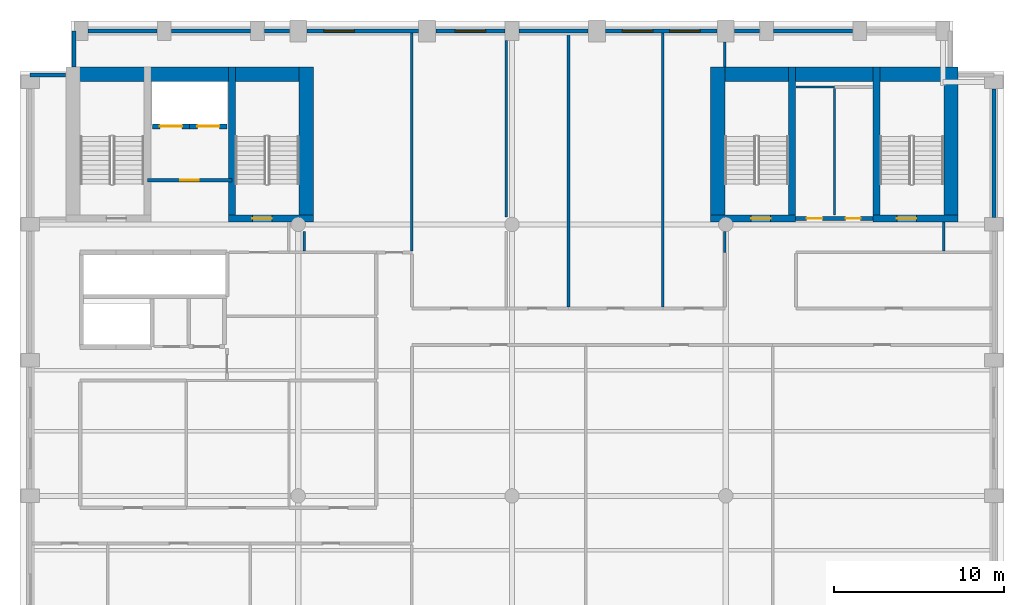
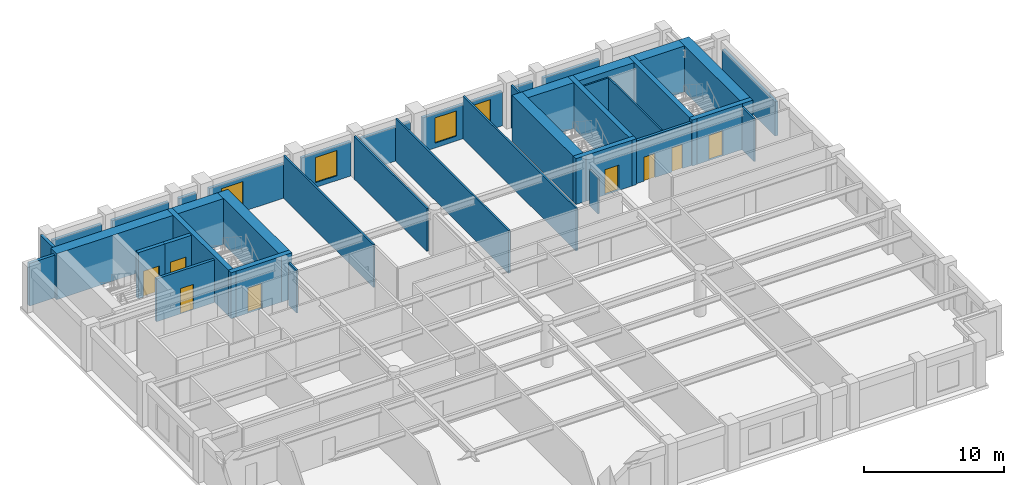
# One storey, part 5 of 8: 37 walls, 8 doors, 4 windows, 12 openings.
"""IFC4 building model written with IfcOpenShell, lengths in metres."""

from ifc_helpers import new_model, si_unit, direction, frame, frame_2d, origin, place, context, subcontext, project, spatial, rectangle, extrude, material, layer, layer_set, type_object, element, fill, save


model = new_model("IFC4")

# Units and contexts
model_context = context("Model", 3, precision=1e-05, world=origin(), true_north=direction((0.0, 1.0)))
body_context = subcontext(model_context, "Body", "Model", "MODEL_VIEW")
ifc_project = project(units=[si_unit("LENGTHUNIT", "METRE"), si_unit("AREAUNIT", "SQUARE_METRE"), si_unit("VOLUMEUNIT", "CUBIC_METRE"), si_unit("PLANEANGLEUNIT", "RADIAN"), si_unit("MASSUNIT", "GRAM", prefix="KILO")], contexts=[model_context])

# Site, building, storey
site_placement = place(None, origin())
site = spatial("IfcSite", under=ifc_project, at=site_placement, CompositionType="ELEMENT")
building_placement = place(site_placement, origin())
building = spatial("IfcBuilding", under=site, at=building_placement, Name="Sulina Concourse Tower", CompositionType="ELEMENT")
storey_placement = place(building_placement, frame((0.0, 0.0, 174.60009765625)))
storey = spatial("IfcBuildingStorey", under=building, at=storey_placement, Name="L42", CompositionType="ELEMENT", Elevation=174.60009765625)

# Wall, opening, door
ifc_material_1 = material(Name="Concrete C50/60", Category="concrete")
ifc_layer_1 = layer(ifc_material_1, 0.300048828125)
ifc_layer_set_1 = layer_set([ifc_layer_1], Name="Concrete C50/60")
wall_type_1 = type_object("IfcWallType", Name="Core Lift Hoistway Wall 300mm", PredefinedType="SOLIDWALL", material=ifc_layer_set_1)
wall_1_placement = place(storey_placement, frame((10.0, 39.780029296875, 0.0), z_axis=(0.0, 0.0, 1.0), x_axis=(-1.0, 0.0, 0.0)))
wall_1 = element("IfcWall", 1, at=wall_1_placement, inside=storey, type_object=wall_type_1, Name="L42 hoistway enclosure wall FFL-1", PredefinedType="SOLIDWALL", context=body_context, shape_type="SweptSolid", body=[
    extrude(rectangle(XDim=2.199951171875, YDim=0.300048828125, at=frame_2d((1.10009765625, 0.0))), origin(), (0.0, 0.0, 1.0), 4.0),
])
opening_1_placement = place(wall_1_placement, frame((0.449951171875, 0.0, 0.0)))
opening_1 = element("IfcOpeningElement", 2, at=opening_1_placement, cuts=wall_1, Name="Opening LD-02", PredefinedType="OPENING", context=body_context, shape_type="SweptSolid", body=[
    extrude(rectangle(XDim=1.300048828125, YDim=2.25, at=frame_2d((0.64990234375, 1.125))), frame((0.0, 0.159912109375, 0.0), z_axis=(0.0, -1.0, 0.0), x_axis=(1.0, 0.0, 0.0)), (0.0, 0.0, 1.0), 0.320068359375),
])
ifc_material_2 = material(Name="Stainless steel lift landing door", Category="steel")
ifc_layer_2 = layer(ifc_material_2, 0.050048828125)
ifc_layer_set_2 = layer_set([ifc_layer_2], Name="Stainless steel lift landing door")
door_type_1 = type_object("IfcDoorType", Name="Firefighting Lift Sliding Landing Door 1300x2250", OperationType="SLIDING_TO_RIGHT", PredefinedType="DOOR", material=ifc_layer_set_2)
door_1_placement = place(opening_1_placement, origin())
door_1 = element("IfcDoor", 3, at=door_1_placement, inside=storey, type_object=door_type_1, Name="L42 lift landing sliding door FFL-1", OperationType="SLIDING_TO_LEFT", OverallHeight=2.25, OverallWidth=1.300048828125, PredefinedType="DOOR", context=body_context, shape_type="SweptSolid", body=[
    extrude(rectangle(XDim=1.300048828125, YDim=2.25, at=frame_2d((0.64990234375, 1.125))), frame((0.0, 0.02490234375, 0.0), z_axis=(0.0, -1.0, 0.0), x_axis=(1.0, 0.0, 0.0)), (0.0, 0.0, 1.0), 0.050048828125),
])
fill(opening_1, door_1)

wall_2_placement = place(storey_placement, frame((12.199951171875, 39.780029296875, 0.0), z_axis=(0.0, 0.0, 1.0), x_axis=(-1.0, 0.0, 0.0)))
wall_2 = element("IfcWall", 4, at=wall_2_placement, inside=storey, type_object=wall_type_1, Name="L42 hoistway enclosure wall FFL-2", PredefinedType="SOLIDWALL", context=body_context, shape_type="SweptSolid", body=[
    extrude(rectangle(XDim=2.199951171875, YDim=0.300048828125, at=frame_2d((1.10009765625, 0.0))), origin(), (0.0, 0.0, 1.0), 4.0),
])
opening_2_placement = place(wall_2_placement, frame((0.449951171875, 0.0, 0.0)))
opening_2 = element("IfcOpeningElement", 5, at=opening_2_placement, cuts=wall_2, Name="Opening LD-02", PredefinedType="OPENING", context=body_context, shape_type="SweptSolid", body=[
    extrude(rectangle(XDim=1.300048828125, YDim=2.25, at=frame_2d((0.64990234375, 1.125))), frame((0.0, 0.159912109375, 0.0), z_axis=(0.0, -1.0, 0.0), x_axis=(1.0, 0.0, 0.0)), (0.0, 0.0, 1.0), 0.320068359375),
])
door_2_placement = place(opening_2_placement, origin())
door_2 = element("IfcDoor", 6, at=door_2_placement, inside=storey, type_object=door_type_1, Name="L42 lift landing sliding door FFL-2", OperationType="SLIDING_TO_RIGHT", OverallHeight=2.25, OverallWidth=1.300048828125, PredefinedType="DOOR", context=body_context, shape_type="SweptSolid", body=[
    extrude(rectangle(XDim=1.300048828125, YDim=2.25, at=frame_2d((0.64990234375, 1.125))), frame((0.0, 0.02490234375, 0.0), z_axis=(0.0, -1.0, 0.0), x_axis=(1.0, 0.0, 0.0)), (0.0, 0.0, 1.0), 0.050048828125),
])
fill(opening_2, door_2)

# Walls
ifc_material_3 = material(Name="Precast concrete C50/60", Category="concrete")
ifc_layer_3 = layer(ifc_material_3, 0.239990234375)
ifc_layer_set_3 = layer_set([ifc_layer_3], Name="Precast concrete C50/60")
wall_type_2 = type_object("IfcWallType", Name="Crown Precast Masonry-Frame Facade Wall 240mm", PredefinedType="SOLIDWALL", material=ifc_layer_set_3)
wall_3_placement = place(storey_placement, frame((4.02001953125, 45.39990234375, 0.0), z_axis=(0.0, 0.0, 1.0), x_axis=(1.0, 0.0, 0.0)))
element("IfcWall", 7, at=wall_3_placement, inside=storey, type_object=wall_type_2, Name="L42 exterior precast wall N1", PredefinedType="SOLIDWALL", context=body_context, shape_type="SweptSolid", body=[
    extrude(rectangle(XDim=4.06005859375, YDim=0.239990234375, at=frame_2d((2.030029296875, 0.0))), origin(), (0.0, 0.0, 1.0), 2.974853515625),
])
wall_4_placement = place(storey_placement, frame((8.919921875, 45.39990234375, 0.0), z_axis=(0.0, 0.0, 1.0), x_axis=(1.0, 0.0, 0.0)))
element("IfcWall", 8, at=wall_4_placement, inside=storey, type_object=wall_type_2, Name="L42 exterior precast wall N2", PredefinedType="SOLIDWALL", context=body_context, shape_type="SweptSolid", body=[
    extrude(rectangle(XDim=4.66015625, YDim=0.239990234375, at=frame_2d((2.330078125, 0.0))), origin(), (0.0, 0.0, 1.0), 2.974853515625),
])
wall_5_placement = place(storey_placement, frame((14.419921875, 45.39990234375, 0.0), z_axis=(0.0, 0.0, 1.0), x_axis=(1.0, 0.0, 0.0)))
element("IfcWall", 9, at=wall_5_placement, inside=storey, type_object=wall_type_2, Name="L42 exterior precast wall N3", PredefinedType="SOLIDWALL", context=body_context, shape_type="SweptSolid", body=[
    extrude(rectangle(XDim=1.4599609375, YDim=0.239990234375, at=frame_2d((0.72998046875, 0.0))), origin(), (0.0, 0.0, 1.0), 2.974853515625),
])

# Wall, opening, window
wall_6_placement = place(storey_placement, frame((16.919921875, 45.39990234375, 0.0), z_axis=(0.0, 0.0, 1.0), x_axis=(1.0, 0.0, 0.0)))
wall_6 = element("IfcWall", 10, at=wall_6_placement, inside=storey, type_object=wall_type_2, Name="L42 exterior precast wall N4", PredefinedType="SOLIDWALL", context=body_context, shape_type="SweptSolid", body=[
    extrude(rectangle(XDim=6.56005859375, YDim=0.239990234375, at=frame_2d((3.280029296875, 0.0))), origin(), (0.0, 0.0, 1.0), 2.974853515625),
])
opening_3_placement = place(wall_6_placement, frame((0.98681640625, 0.0, 0.419921875)))
opening_3 = element("IfcOpeningElement", 11, at=opening_3_placement, cuts=wall_6, Name="Opening WN-25", PredefinedType="OPENING", context=body_context, shape_type="SweptSolid", body=[
    extrude(rectangle(XDim=1.800048828125, YDim=2.199951171875, at=frame_2d((0.89990234375, 1.10009765625))), frame((0.0, 0.1298828125, 0.0), z_axis=(0.0, -1.0, 0.0), x_axis=(1.0, 0.0, 0.0)), (0.0, 0.0, 1.0), 0.260009765625),
])
ifc_material_4 = material(Name="Low-E solar double glazing in bronze aluminium", Category="aluminium")
window_type = type_object("IfcWindowType", Name="Punched Masonry-Frame Window 1800x2200", PartitioningType="SINGLE_PANEL", PredefinedType="WINDOW", material=ifc_material_4)
window_1_placement = place(opening_3_placement, origin())
window_1 = element("IfcWindow", 12, at=window_1_placement, inside=storey, type_object=window_type, Name="L42 punched window N4-1", OverallHeight=2.199951171875, OverallWidth=1.800048828125, PartitioningType="SINGLE_PANEL", PredefinedType="WINDOW", context=body_context, shape_type="SweptSolid", body=[
    extrude(rectangle(XDim=1.800048828125, YDim=2.199951171875, at=frame_2d((0.89990234375, 1.10009765625))), frame((0.0, 0.030029296875, 0.0), z_axis=(0.0, -1.0, 0.0), x_axis=(1.0, 0.0, 0.0)), (0.0, 0.0, 1.0), 0.06005859375),
])
fill(opening_3, window_1)

wall_7_placement = place(storey_placement, frame((24.52001953125, 45.39990234375, 0.0), z_axis=(0.0, 0.0, 1.0), x_axis=(1.0, 0.0, 0.0)))
wall_7 = element("IfcWall", 13, at=wall_7_placement, inside=storey, type_object=wall_type_2, Name="L42 exterior precast wall N5", PredefinedType="SOLIDWALL", context=body_context, shape_type="SweptSolid", body=[
    extrude(rectangle(XDim=4.06005859375, YDim=0.239990234375, at=frame_2d((2.030029296875, 0.0))), origin(), (0.0, 0.0, 1.0), 2.974853515625),
])
opening_4_placement = place(wall_7_placement, frame((1.1298828125, 0.0, 0.419921875)))
opening_4 = element("IfcOpeningElement", 14, at=opening_4_placement, cuts=wall_7, Name="Opening WN-25", PredefinedType="OPENING", context=body_context, shape_type="SweptSolid", body=[
    extrude(rectangle(XDim=1.800048828125, YDim=2.199951171875, at=frame_2d((0.89990234375, 1.10009765625))), frame((0.0, 0.1298828125, 0.0), z_axis=(0.0, -1.0, 0.0), x_axis=(1.0, 0.0, 0.0)), (0.0, 0.0, 1.0), 0.260009765625),
])
window_2_placement = place(opening_4_placement, origin())
window_2 = element("IfcWindow", 15, at=window_2_placement, inside=storey, type_object=window_type, Name="L42 punched window N5-1", OverallHeight=2.199951171875, OverallWidth=1.800048828125, PartitioningType="SINGLE_PANEL", PredefinedType="WINDOW", context=body_context, shape_type="SweptSolid", body=[
    extrude(rectangle(XDim=1.800048828125, YDim=2.199951171875, at=frame_2d((0.89990234375, 1.10009765625))), frame((0.0, 0.030029296875, 0.0), z_axis=(0.0, -1.0, 0.0), x_axis=(1.0, 0.0, 0.0)), (0.0, 0.0, 1.0), 0.06005859375),
])
fill(opening_4, window_2)

# Wall
wall_8_placement = place(storey_placement, frame((29.419921875, 45.39990234375, 0.0), z_axis=(0.0, 0.0, 1.0), x_axis=(1.0, 0.0, 0.0)))
element("IfcWall", 16, at=wall_8_placement, inside=storey, type_object=wall_type_2, Name="L42 exterior precast wall N6", PredefinedType="SOLIDWALL", context=body_context, shape_type="SweptSolid", body=[
    extrude(rectangle(XDim=4.06005859375, YDim=0.239990234375, at=frame_2d((2.030029296875, 0.0))), origin(), (0.0, 0.0, 1.0), 2.974853515625),
])

# Wall, openings, windows
wall_9_placement = place(storey_placement, frame((34.52001953125, 45.39990234375, 0.0), z_axis=(0.0, 0.0, 1.0), x_axis=(1.0, 0.0, 0.0)))
wall_9 = element("IfcWall", 17, at=wall_9_placement, inside=storey, type_object=wall_type_2, Name="L42 exterior precast wall N7", PredefinedType="SOLIDWALL", context=body_context, shape_type="SweptSolid", body=[
    extrude(rectangle(XDim=6.56005859375, YDim=0.239990234375, at=frame_2d((3.280029296875, 0.0))), origin(), (0.0, 0.0, 1.0), 2.974853515625),
])
opening_5_placement = place(wall_9_placement, frame((0.98681640625, 0.0, 0.419921875)))
opening_5 = element("IfcOpeningElement", 18, at=opening_5_placement, cuts=wall_9, Name="Opening WN-25", PredefinedType="OPENING", context=body_context, shape_type="SweptSolid", body=[
    extrude(rectangle(XDim=1.800048828125, YDim=2.199951171875, at=frame_2d((0.89990234375, 1.10009765625))), frame((0.0, 0.1298828125, 0.0), z_axis=(0.0, -1.0, 0.0), x_axis=(1.0, 0.0, 0.0)), (0.0, 0.0, 1.0), 0.260009765625),
])
opening_6_placement = place(wall_9_placement, frame((3.773193359375, 0.0, 0.419921875)))
opening_6 = element("IfcOpeningElement", 19, at=opening_6_placement, cuts=wall_9, Name="Opening WN-25", PredefinedType="OPENING", context=body_context, shape_type="SweptSolid", body=[
    extrude(rectangle(XDim=1.800048828125, YDim=2.199951171875, at=frame_2d((0.89990234375, 1.10009765625))), frame((0.0, 0.1298828125, 0.0), z_axis=(0.0, -1.0, 0.0), x_axis=(1.0, 0.0, 0.0)), (0.0, 0.0, 1.0), 0.260009765625),
])
window_3_placement = place(opening_5_placement, origin())
window_3 = element("IfcWindow", 20, at=window_3_placement, inside=storey, type_object=window_type, Name="L42 punched window N7-1", OverallHeight=2.199951171875, OverallWidth=1.800048828125, PartitioningType="SINGLE_PANEL", PredefinedType="WINDOW", context=body_context, shape_type="SweptSolid", body=[
    extrude(rectangle(XDim=1.800048828125, YDim=2.199951171875, at=frame_2d((0.89990234375, 1.10009765625))), frame((0.0, 0.030029296875, 0.0), z_axis=(0.0, -1.0, 0.0), x_axis=(1.0, 0.0, 0.0)), (0.0, 0.0, 1.0), 0.06005859375),
])
fill(opening_5, window_3)
window_4_placement = place(opening_6_placement, origin())
window_4 = element("IfcWindow", 21, at=window_4_placement, inside=storey, type_object=window_type, Name="L42 punched window N7-2", OverallHeight=2.199951171875, OverallWidth=1.800048828125, PartitioningType="SINGLE_PANEL", PredefinedType="WINDOW", context=body_context, shape_type="SweptSolid", body=[
    extrude(rectangle(XDim=1.800048828125, YDim=2.199951171875, at=frame_2d((0.89990234375, 1.10009765625))), frame((0.0, 0.030029296875, 0.0), z_axis=(0.0, -1.0, 0.0), x_axis=(1.0, 0.0, 0.0)), (0.0, 0.0, 1.0), 0.06005859375),
])
fill(opening_6, window_4)

# Walls
wall_10_placement = place(storey_placement, frame((42.1201171875, 45.39990234375, 0.0), z_axis=(0.0, 0.0, 1.0), x_axis=(1.0, 0.0, 0.0)))
element("IfcWall", 22, at=wall_10_placement, inside=storey, type_object=wall_type_2, Name="L42 exterior precast wall N8", PredefinedType="SOLIDWALL", context=body_context, shape_type="SweptSolid", body=[
    extrude(rectangle(XDim=1.4599609375, YDim=0.239990234375, at=frame_2d((0.72998046875, 0.0))), origin(), (0.0, 0.0, 1.0), 2.974853515625),
])
wall_11_placement = place(storey_placement, frame((44.419921875, 45.39990234375, 0.0), z_axis=(0.0, 0.0, 1.0), x_axis=(1.0, 0.0, 0.0)))
element("IfcWall", 23, at=wall_11_placement, inside=storey, type_object=wall_type_2, Name="L42 exterior precast wall N9", PredefinedType="SOLIDWALL", context=body_context, shape_type="SweptSolid", body=[
    extrude(rectangle(XDim=4.66015625, YDim=0.239990234375, at=frame_2d((2.330078125, 0.0))), origin(), (0.0, 0.0, 1.0), 2.974853515625),
])
wall_12_placement = place(storey_placement, frame((57.39990234375, 41.97998046875, 0.0), z_axis=(0.0, 0.0, 1.0), x_axis=(0.0, -1.0, 0.0)))
element("IfcWall", 24, at=wall_12_placement, inside=storey, type_object=wall_type_2, Name="L42 exterior precast wall E5", PredefinedType="SOLIDWALL", context=body_context, shape_type="SweptSolid", body=[
    extrude(rectangle(XDim=7.56005859375, YDim=0.239990234375, at=frame_2d((3.780029296875, 0.0))), origin(), (0.0, 0.0, 1.0), 2.974853515625),
])
wall_13_placement = place(storey_placement, frame((0.60009765625, 42.820068359375, 0.0), z_axis=(0.0, 0.0, 1.0), x_axis=(1.0, 0.0, 0.0)))
element("IfcWall", 25, at=wall_13_placement, inside=storey, type_object=wall_type_2, Name="L42 exterior precast wall CNW1", PredefinedType="SOLIDWALL", context=body_context, shape_type="SweptSolid", body=[
    extrude(rectangle(XDim=2.094970703125, YDim=0.239990234375, at=frame_2d((1.04736328125, 0.0))), origin(), (0.0, 0.0, 1.0), 3.724853515625),
])
wall_14_placement = place(storey_placement, frame((3.179931640625, 43.284912109375, 0.0), z_axis=(0.0, 0.0, 1.0), x_axis=(0.0, 1.0, 0.0)))
element("IfcWall", 26, at=wall_14_placement, inside=storey, type_object=wall_type_2, Name="L42 exterior precast wall CNW2", PredefinedType="SOLIDWALL", context=body_context, shape_type="SweptSolid", body=[
    extrude(rectangle(XDim=2.114990234375, YDim=0.239990234375, at=frame_2d((1.0576171875, 0.0))), origin(), (0.0, 0.0, 1.0), 3.724853515625),
])

# Wall, opening, door
ifc_material_5 = material(Name="Gypsum board on steel stud", Category="steel")
ifc_layer_4 = layer(ifc_material_5, 0.219970703125)
ifc_layer_set_4 = layer_set([ifc_layer_4], Name="Gypsum board on steel stud")
wall_type_3 = type_object("IfcWallType", Name="Fire-Rated Lobby & Compartment Wall 220mm", PredefinedType="PARTITIONING", material=ifc_layer_set_4)
wall_15_placement = place(storey_placement, frame((7.510009765625, 36.60009765625, 0.0), z_axis=(0.0, 0.0, 1.0), x_axis=(1.0, 0.0, 0.0)))
wall_15 = element("IfcWall", 27, at=wall_15_placement, inside=storey, type_object=wall_type_3, Name="L42 firefighting lobby south fire wall", PredefinedType="PARTITIONING", context=body_context, shape_type="SweptSolid", body=[
    extrude(rectangle(XDim=4.97998046875, YDim=0.219970703125, at=frame_2d((2.489990234375, 0.0))), origin(), (0.0, 0.0, 1.0), 3.724853515625),
])
opening_7_placement = place(wall_15_placement, frame((1.93994140625, 0.0, 0.0)))
opening_7 = element("IfcOpeningElement", 28, at=opening_7_placement, cuts=wall_15, Name="Opening DR-47", PredefinedType="OPENING", context=body_context, shape_type="SweptSolid", body=[
    extrude(rectangle(XDim=1.10009765625, YDim=2.199951171875, at=frame_2d((0.550048828125, 1.10009765625))), frame((0.0, 0.119873046875, 0.0), z_axis=(0.0, -1.0, 0.0), x_axis=(1.0, 0.0, 0.0)), (0.0, 0.0, 1.0), 0.239990234375),
])
ifc_material_6 = material(Name="Galvanised steel acoustic fire leaf", Category="steel")
ifc_layer_5 = layer(ifc_material_6, 0.054931640625)
ifc_layer_set_5 = layer_set([ifc_layer_5], Name="Galvanised steel acoustic fire leaf")
door_type_2 = type_object("IfcDoorType", Name="Firefighting Lobby Fire Door 1100x2200", OperationType="NOTDEFINED", PredefinedType="DOOR", material=ifc_layer_set_5)
door_3_placement = place(opening_7_placement, origin())
door_3 = element("IfcDoor", 29, at=door_3_placement, inside=storey, type_object=door_type_2, Name="L42 firefighting lobby fire door", OperationType="SINGLE_SWING_LEFT", OverallHeight=2.199951171875, OverallWidth=1.10009765625, PredefinedType="DOOR", context=body_context, shape_type="SweptSolid", body=[
    extrude(rectangle(XDim=1.10009765625, YDim=2.199951171875, at=frame_2d((0.550048828125, 1.10009765625))), frame((0.0, 0.02490234375, 0.0), z_axis=(0.0, -1.0, 0.0), x_axis=(1.0, 0.0, 0.0)), (0.0, 0.0, 1.0), 0.050048828125),
])
fill(opening_7, door_3)

# Wall, openings, doors
wall_16_placement = place(storey_placement, frame((45.719970703125, 34.35009765625, 0.0), z_axis=(0.0, 0.0, 1.0), x_axis=(1.0, 0.0, 0.0)))
wall_16 = element("IfcWall", 30, at=wall_16_placement, inside=storey, type_object=wall_type_3, Name="L42 east core south lobby wall", PredefinedType="PARTITIONING", context=body_context, shape_type="SweptSolid", body=[
    extrude(rectangle(XDim=4.56005859375, YDim=0.219970703125, at=frame_2d((2.280029296875, 0.0))), origin(), (0.0, 0.0, 1.0), 3.724853515625),
])
opening_8_placement = place(wall_16_placement, frame((0.64990234375, 0.0, 0.0)))
opening_8 = element("IfcOpeningElement", 31, at=opening_8_placement, cuts=wall_16, Name="Opening DR-61", PredefinedType="OPENING", context=body_context, shape_type="SweptSolid", body=[
    extrude(rectangle(XDim=0.919921875, YDim=2.10009765625, at=frame_2d((0.4599609375, 1.050048828125))), frame((0.0, 0.119873046875, 0.0), z_axis=(0.0, -1.0, 0.0), x_axis=(1.0, 0.0, 0.0)), (0.0, 0.0, 1.0), 0.239990234375),
])
opening_9_placement = place(wall_16_placement, frame((2.949951171875, 0.0, 0.0)))
opening_9 = element("IfcOpeningElement", 32, at=opening_9_placement, cuts=wall_16, Name="Opening DR-38", PredefinedType="OPENING", context=body_context, shape_type="SweptSolid", body=[
    extrude(rectangle(XDim=0.8798828125, YDim=2.10009765625, at=frame_2d((0.43994140625, 1.050048828125))), frame((0.0, 0.119873046875, 0.0), z_axis=(0.0, -1.0, 0.0), x_axis=(1.0, 0.0, 0.0)), (0.0, 0.0, 1.0), 0.239990234375),
])
ifc_material_7 = material(Name="Oak-veneered fire door leaf")
ifc_layer_6 = layer(ifc_material_7, 0.050048828125)
ifc_layer_set_6 = layer_set([ifc_layer_6], Name="Oak-veneered fire door leaf")
door_type_3 = type_object("IfcDoorType", Name="Accessible WC Door 920x2100", OperationType="NOTDEFINED", PredefinedType="DOOR", material=ifc_layer_set_6)
door_4_placement = place(opening_8_placement, origin())
door_4 = element("IfcDoor", 33, at=door_4_placement, inside=storey, type_object=door_type_3, Name="L42 east core accessible wc door", OperationType="SINGLE_SWING_LEFT", OverallHeight=2.10009765625, OverallWidth=0.919921875, PredefinedType="DOOR", context=body_context, shape_type="SweptSolid", body=[
    extrude(rectangle(XDim=0.919921875, YDim=2.10009765625, at=frame_2d((0.4599609375, 1.050048828125))), frame((0.0, 0.02490234375, 0.0), z_axis=(0.0, -1.0, 0.0), x_axis=(1.0, 0.0, 0.0)), (0.0, 0.0, 1.0), 0.050048828125),
])
fill(opening_8, door_4)
ifc_material_8 = material(Name="Galvanised steel acoustic fire leaf", Category="steel")
ifc_layer_7 = layer(ifc_material_8, 0.050048828125)
ifc_layer_set_7 = layer_set([ifc_layer_7], Name="Galvanised steel acoustic fire leaf")
door_type_4 = type_object("IfcDoorType", Name="Service Riser Fire Door 880x2100", OperationType="NOTDEFINED", PredefinedType="DOOR", material=ifc_layer_set_7)
door_5_placement = place(opening_9_placement, origin())
door_5 = element("IfcDoor", 34, at=door_5_placement, inside=storey, type_object=door_type_4, Name="L42 east core store door", OperationType="SINGLE_SWING_RIGHT", OverallHeight=2.10009765625, OverallWidth=0.8798828125, PredefinedType="DOOR", context=body_context, shape_type="SweptSolid", body=[
    extrude(rectangle(XDim=0.8798828125, YDim=2.10009765625, at=frame_2d((0.43994140625, 1.050048828125))), frame((0.0, 0.02490234375, 0.0), z_axis=(0.0, -1.0, 0.0), x_axis=(1.0, 0.0, 0.0)), (0.0, 0.0, 1.0), 0.050048828125),
])
fill(opening_9, door_5)

# Walls
ifc_material_9 = material(Name="Gypsum board on steel stud", Category="steel")
ifc_layer_8 = layer(ifc_material_9, 0.14990234375)
ifc_layer_set_8 = layer_set([ifc_layer_8], Name="Gypsum board on steel stud")
wall_type_4 = type_object("IfcWallType", Name="Inter-Tenancy Acoustic Partition 150mm", PredefinedType="PARTITIONING", material=ifc_layer_set_8)
wall_17_placement = place(storey_placement, frame((16.75, 32.425048828125, 0.0), z_axis=(0.0, 0.0, 1.0), x_axis=(0.0, 1.0, 0.0)))
element("IfcWall", 35, at=wall_17_placement, inside=storey, type_object=wall_type_4, Name="L42 interior partition 040", PredefinedType="PARTITIONING", context=body_context, shape_type="SweptSolid", body=[
    extrude(rectangle(XDim=1.14990234375, YDim=0.14990234375, at=frame_2d((0.574951171875, 0.0))), origin(), (0.0, 0.0, 1.0), 3.724853515625),
])
wall_18_placement = place(storey_placement, frame((23.10009765625, 32.43994140625, 0.0), z_axis=(0.0, 0.0, 1.0), x_axis=(0.0, 1.0, 0.0)))
element("IfcWall", 36, at=wall_18_placement, inside=storey, type_object=wall_type_4, Name="L42 interior partition 048", PredefinedType="PARTITIONING", context=body_context, shape_type="SweptSolid", body=[
    extrude(rectangle(XDim=12.840087890625, YDim=0.14990234375, at=frame_2d((6.419921875, 0.0))), origin(), (0.0, 0.0, 1.0), 3.724853515625),
])
wall_19_placement = place(storey_placement, frame((28.659912109375, 34.425048828125, 0.0), z_axis=(0.0, 0.0, 1.0), x_axis=(0.0, 1.0, 0.0)))
element("IfcWall", 37, at=wall_19_placement, inside=storey, type_object=wall_type_4, Name="L42 interior partition 050", PredefinedType="PARTITIONING", context=body_context, shape_type="SweptSolid", body=[
    extrude(rectangle(XDim=10.425048828125, YDim=0.14990234375, at=frame_2d((5.21240234375, 0.0))), origin(), (0.0, 0.0, 1.0), 3.724853515625),
])
for number, where, z_axis, x_axis, name in (
    (38, (32.330078125, 29.139892578125, 0.0), (0.0, 0.0, 1.0), (0.0, 1.0, 0.0), "L42 interior partition 051"),
    (39, (37.889892578125, 29.139892578125, 0.0), (0.0, 0.0, 1.0), (0.0, 1.0, 0.0), "L42 interior partition 053"),
):
    element("IfcWall", number, at=place(storey_placement, frame(where, z_axis=z_axis, x_axis=x_axis)), inside=storey, type_object=wall_type_4, Name=name, PredefinedType="PARTITIONING", context=body_context, shape_type="SweptSolid", body=[
        extrude(rectangle(XDim=16.14013671875, YDim=0.14990234375, at=frame_2d((8.070068359375, 0.0))), origin(), (0.0, 0.0, 1.0), 3.724853515625),
    ])
wall_20_placement = place(storey_placement, frame((41.550048828125, 32.35009765625, 0.0), z_axis=(0.0, 0.0, 1.0), x_axis=(0.0, 1.0, 0.0)))
element("IfcWall", 40, at=wall_20_placement, inside=storey, type_object=wall_type_4, Name="L42 interior partition 055", PredefinedType="PARTITIONING", context=body_context, shape_type="SweptSolid", body=[
    extrude(rectangle(XDim=1.224853515625, YDim=0.14990234375, at=frame_2d((0.6123046875, 0.0))), origin(), (0.0, 0.0, 1.0), 3.119873046875),
])
wall_21_placement = place(storey_placement, frame((41.550048828125, 43.280029296875, 0.0), z_axis=(0.0, 0.0, 1.0), x_axis=(0.0, 1.0, 0.0)))
element("IfcWall", 41, at=wall_21_placement, inside=storey, type_object=wall_type_4, Name="L42 interior partition 056", PredefinedType="PARTITIONING", context=body_context, shape_type="SweptSolid", body=[
    extrude(rectangle(XDim=1.469970703125, YDim=0.14990234375, at=frame_2d((0.73486328125, 0.0))), origin(), (0.0, 0.0, 1.0), 3.724853515625),
])
wall_22_placement = place(storey_placement, frame((54.449951171875, 32.425048828125, 0.0), z_axis=(0.0, 0.0, 1.0), x_axis=(0.0, 1.0, 0.0)))
element("IfcWall", 42, at=wall_22_placement, inside=storey, type_object=wall_type_4, Name="L42 interior partition 060", PredefinedType="PARTITIONING", context=body_context, shape_type="SweptSolid", body=[
    extrude(rectangle(XDim=1.724853515625, YDim=0.14990234375, at=frame_2d((0.8623046875, 0.0))), origin(), (0.0, 0.0, 1.0), 3.724853515625),
])

# Wall, opening, door
ifc_material_10 = material(Name="Concrete C60/75", Category="concrete")
ifc_layer_9 = layer(ifc_material_10, 0.39990234375)
ifc_layer_set_9 = layer_set([ifc_layer_9], Name="Concrete C60/75")
wall_type_5 = type_object("IfcWallType", Name="Protected Stair Core Shear Wall 400mm", PredefinedType="SHEAR", material=ifc_layer_set_9)
wall_23_placement = place(storey_placement, frame((12.2900390625, 34.35009765625, 0.0), z_axis=(0.0, 0.0, 1.0), x_axis=(1.0, 0.0, 0.0)))
wall_23 = element("IfcWall", 43, at=wall_23_placement, inside=storey, type_object=wall_type_5, Name="L42 west core shear wall CW-WS2", PredefinedType="SHEAR", context=body_context, shape_type="SweptSolid", body=[
    extrude(rectangle(XDim=5.010009765625, YDim=0.39990234375, at=frame_2d((2.5048828125, 0.0))), origin(), (0.0, 0.0, 1.0), 4.0),
])
opening_10_placement = place(wall_23_placement, frame((1.39990234375, 0.0, 0.0)))
opening_10 = element("IfcOpeningElement", 44, at=opening_10_placement, cuts=wall_23, Name="Opening DR-60", PredefinedType="OPENING", context=body_context, shape_type="SweptSolid", body=[
    extrude(rectangle(XDim=1.14990234375, YDim=2.199951171875, at=frame_2d((0.574951171875, 1.10009765625))), frame((0.0, 0.2099609375, 0.0), z_axis=(0.0, -1.0, 0.0), x_axis=(1.0, 0.0, 0.0)), (0.0, 0.0, 1.0), 0.419921875),
])
ifc_material_11 = material(Name="Galvanised steel acoustic fire leaf", Category="steel")
ifc_layer_10 = layer(ifc_material_11, 0.054931640625)
ifc_layer_set_10 = layer_set([ifc_layer_10], Name="Galvanised steel acoustic fire leaf")
door_type_5 = type_object("IfcDoorType", Name="Protected Exit Stair Fire Door 1150x2200", OperationType="NOTDEFINED", PredefinedType="DOOR", material=ifc_layer_set_10)
door_6_placement = place(opening_10_placement, origin())
door_6 = element("IfcDoor", 45, at=door_6_placement, inside=storey, type_object=door_type_5, Name="L42 stair ST-2 lobby fire door", OperationType="SINGLE_SWING_RIGHT", OverallHeight=2.199951171875, OverallWidth=1.14990234375, PredefinedType="DOOR", context=body_context, shape_type="SweptSolid", body=[
    extrude(rectangle(XDim=1.14990234375, YDim=2.199951171875, at=frame_2d((0.574951171875, 1.10009765625))), frame((0.0, 0.02490234375, 0.0), z_axis=(0.0, -1.0, 0.0), x_axis=(1.0, 0.0, 0.0)), (0.0, 0.0, 1.0), 0.050048828125),
])
fill(opening_10, door_6)

# Wall
wall_24_placement = place(storey_placement, frame((12.489990234375, 34.14990234375, 0.0), z_axis=(0.0, 0.0, 1.0), x_axis=(0.0, 1.0, 0.0)))
element("IfcWall", 46, at=wall_24_placement, inside=storey, type_object=wall_type_5, Name="L42 west core shear wall SW-ST2", PredefinedType="SHEAR", context=body_context, shape_type="SweptSolid", body=[
    extrude(rectangle(XDim=9.130126953125, YDim=0.39990234375, at=frame_2d((4.56494140625, 0.0))), origin(), (0.0, 0.0, 1.0), 4.0),
])

# Wall, opening, door
wall_25_placement = place(storey_placement, frame((40.699951171875, 34.35009765625, 0.0), z_axis=(0.0, 0.0, 1.0), x_axis=(1.0, 0.0, 0.0)))
wall_25 = element("IfcWall", 47, at=wall_25_placement, inside=storey, type_object=wall_type_5, Name="L42 east core shear wall CW-ES1", PredefinedType="SHEAR", context=body_context, shape_type="SweptSolid", body=[
    extrude(rectangle(XDim=5.010009765625, YDim=0.39990234375, at=frame_2d((2.5048828125, 0.0))), origin(), (0.0, 0.0, 1.0), 4.0),
])
opening_11_placement = place(wall_25_placement, frame((2.39990234375, 0.0, 0.0)))
opening_11 = element("IfcOpeningElement", 48, at=opening_11_placement, cuts=wall_25, Name="Opening DR-60", PredefinedType="OPENING", context=body_context, shape_type="SweptSolid", body=[
    extrude(rectangle(XDim=1.14990234375, YDim=2.199951171875, at=frame_2d((0.574951171875, 1.10009765625))), frame((0.0, 0.2099609375, 0.0), z_axis=(0.0, -1.0, 0.0), x_axis=(1.0, 0.0, 0.0)), (0.0, 0.0, 1.0), 0.419921875),
])
door_7_placement = place(opening_11_placement, origin())
door_7 = element("IfcDoor", 49, at=door_7_placement, inside=storey, type_object=door_type_5, Name="L42 stair ST-3 south lobby fire door", OperationType="SINGLE_SWING_RIGHT", OverallHeight=2.199951171875, OverallWidth=1.14990234375, PredefinedType="DOOR", context=body_context, shape_type="SweptSolid", body=[
    extrude(rectangle(XDim=1.14990234375, YDim=2.199951171875, at=frame_2d((0.574951171875, 1.10009765625))), frame((0.0, 0.02490234375, 0.0), z_axis=(0.0, -1.0, 0.0), x_axis=(1.0, 0.0, 0.0)), (0.0, 0.0, 1.0), 0.050048828125),
])
fill(opening_11, door_7)

# Wall
wall_26_placement = place(storey_placement, frame((45.510009765625, 34.14990234375, 0.0), z_axis=(0.0, 0.0, 1.0), x_axis=(0.0, 1.0, 0.0)))
element("IfcWall", 50, at=wall_26_placement, inside=storey, type_object=wall_type_5, Name="L42 east core shear wall SW-ST3", PredefinedType="SHEAR", context=body_context, shape_type="SweptSolid", body=[
    extrude(rectangle(XDim=9.130126953125, YDim=0.39990234375, at=frame_2d((4.56494140625, 0.0))), origin(), (0.0, 0.0, 1.0), 4.0),
])

# Wall, opening, door
wall_27_placement = place(storey_placement, frame((50.2900390625, 34.35009765625, 0.0), z_axis=(0.0, 0.0, 1.0), x_axis=(1.0, 0.0, 0.0)))
wall_27 = element("IfcWall", 51, at=wall_27_placement, inside=storey, type_object=wall_type_5, Name="L42 east core shear wall CW-ES2", PredefinedType="SHEAR", context=body_context, shape_type="SweptSolid", body=[
    extrude(rectangle(XDim=5.010009765625, YDim=0.39990234375, at=frame_2d((2.5048828125, 0.0))), origin(), (0.0, 0.0, 1.0), 4.0),
])
opening_12_placement = place(wall_27_placement, frame((1.39990234375, 0.0, 0.0)))
opening_12 = element("IfcOpeningElement", 52, at=opening_12_placement, cuts=wall_27, Name="Opening DR-60", PredefinedType="OPENING", context=body_context, shape_type="SweptSolid", body=[
    extrude(rectangle(XDim=1.14990234375, YDim=2.199951171875, at=frame_2d((0.574951171875, 1.10009765625))), frame((0.0, 0.2099609375, 0.0), z_axis=(0.0, -1.0, 0.0), x_axis=(1.0, 0.0, 0.0)), (0.0, 0.0, 1.0), 0.419921875),
])
door_8_placement = place(opening_12_placement, origin())
door_8 = element("IfcDoor", 53, at=door_8_placement, inside=storey, type_object=door_type_5, Name="L42 stair ST-4 south lobby fire door", OperationType="SINGLE_SWING_LEFT", OverallHeight=2.199951171875, OverallWidth=1.14990234375, PredefinedType="DOOR", context=body_context, shape_type="SweptSolid", body=[
    extrude(rectangle(XDim=1.14990234375, YDim=2.199951171875, at=frame_2d((0.574951171875, 1.10009765625))), frame((0.0, 0.02490234375, 0.0), z_axis=(0.0, -1.0, 0.0), x_axis=(1.0, 0.0, 0.0)), (0.0, 0.0, 1.0), 0.050048828125),
])
fill(opening_12, door_8)

# Walls
wall_28_placement = place(storey_placement, frame((50.489990234375, 34.14990234375, 0.0), z_axis=(0.0, 0.0, 1.0), x_axis=(0.0, 1.0, 0.0)))
element("IfcWall", 54, at=wall_28_placement, inside=storey, type_object=wall_type_5, Name="L42 east core shear wall SW-ST4", PredefinedType="SHEAR", context=body_context, shape_type="SweptSolid", body=[
    extrude(rectangle(XDim=9.130126953125, YDim=0.39990234375, at=frame_2d((4.56494140625, 0.0))), origin(), (0.0, 0.0, 1.0), 4.0),
])
ifc_material_12 = material(Name="Concrete C60/75", Category="concrete")
ifc_layer_11 = layer(ifc_material_12, 0.85009765625)
ifc_layer_set_11 = layer_set([ifc_layer_11], Name="Concrete C60/75")
wall_type_6 = type_object("IfcWallType", Name="Rear Core Shear Wall 850mm", PredefinedType="SHEAR", material=ifc_layer_set_11)
wall_29_placement = place(storey_placement, frame((2.699951171875, 42.85498046875, 0.0), z_axis=(0.0, 0.0, 1.0), x_axis=(1.0, 0.0, 0.0)))
element("IfcWall", 55, at=wall_29_placement, inside=storey, type_object=wall_type_6, Name="L42 west core shear wall CW-WN", PredefinedType="SHEAR", context=body_context, shape_type="SweptSolid", body=[
    extrude(rectangle(XDim=14.60009765625, YDim=0.85009765625, at=frame_2d((7.300048828125, 0.0))), origin(), (0.0, 0.0, 1.0), 4.0),
])
wall_30_placement = place(storey_placement, frame((16.875, 34.14990234375, 0.0), z_axis=(0.0, 0.0, 1.0), x_axis=(0.0, 1.0, 0.0)))
element("IfcWall", 56, at=wall_30_placement, inside=storey, type_object=wall_type_6, Name="L42 west core shear wall CW-WE", PredefinedType="SHEAR", context=body_context, shape_type="SweptSolid", body=[
    extrude(rectangle(XDim=9.130126953125, YDim=0.85009765625, at=frame_2d((4.56494140625, 0.0))), origin(), (0.0, 0.0, 1.0), 4.0),
])
wall_31_placement = place(storey_placement, frame((40.699951171875, 42.85498046875, 0.0), z_axis=(0.0, 0.0, 1.0), x_axis=(1.0, 0.0, 0.0)))
element("IfcWall", 57, at=wall_31_placement, inside=storey, type_object=wall_type_6, Name="L42 east core shear wall CW-EN", PredefinedType="SHEAR", context=body_context, shape_type="SweptSolid", body=[
    extrude(rectangle(XDim=14.60009765625, YDim=0.85009765625, at=frame_2d((7.300048828125, 0.0))), origin(), (0.0, 0.0, 1.0), 4.0),
])
for number, where, z_axis, x_axis, name in (
    (58, (41.125, 34.14990234375, 0.0), (0.0, 0.0, 1.0), (0.0, 1.0, 0.0), "L42 east core shear wall CW-EW"),
    (59, (54.875, 34.14990234375, 0.0), (0.0, 0.0, 1.0), (0.0, 1.0, 0.0), "L42 east core shear wall CW-EE"),
):
    element("IfcWall", number, at=place(storey_placement, frame(where, z_axis=z_axis, x_axis=x_axis)), inside=storey, type_object=wall_type_6, Name=name, PredefinedType="SHEAR", context=body_context, shape_type="SweptSolid", body=[
        extrude(rectangle(XDim=9.130126953125, YDim=0.85009765625, at=frame_2d((4.56494140625, 0.0))), origin(), (0.0, 0.0, 1.0), 4.0),
    ])
ifc_material_13 = material(Name="Gypsum board on steel stud", Category="steel")
ifc_layer_12 = layer(ifc_material_13, 0.125)
ifc_layer_set_12 = layer_set([ifc_layer_12], Name="Gypsum board on steel stud")
wall_type_7 = type_object("IfcWallType", Name="Wet-Area Moisture-Resistant Partition 125mm", PredefinedType="PARTITIONING", material=ifc_layer_set_12)
wall_32_placement = place(storey_placement, frame((45.75, 42.10009765625, 0.0), z_axis=(0.0, 0.0, 1.0), x_axis=(1.0, 0.0, 0.0)))
element("IfcWall", 60, at=wall_32_placement, inside=storey, type_object=wall_type_7, Name="L42 interior partition 029", PredefinedType="PARTITIONING", context=body_context, shape_type="SweptSolid", body=[
    extrude(rectangle(XDim=2.25, YDim=0.125, at=frame_2d((1.125, 0.0))), origin(), (0.0, 0.0, 1.0), 3.724853515625),
])
wall_33_placement = place(storey_placement, frame((48.0, 34.550048828125, 0.0), z_axis=(0.0, 0.0, 1.0), x_axis=(0.0, 1.0, 0.0)))
element("IfcWall", 61, at=wall_33_placement, inside=storey, type_object=wall_type_7, Name="L42 interior partition 059", PredefinedType="PARTITIONING", context=body_context, shape_type="SweptSolid", body=[
    extrude(rectangle(XDim=7.474853515625, YDim=0.125, at=frame_2d((3.7373046875, 0.0))), origin(), (0.0, 0.0, 1.0), 3.724853515625),
])

save(model, "model.ifc")
